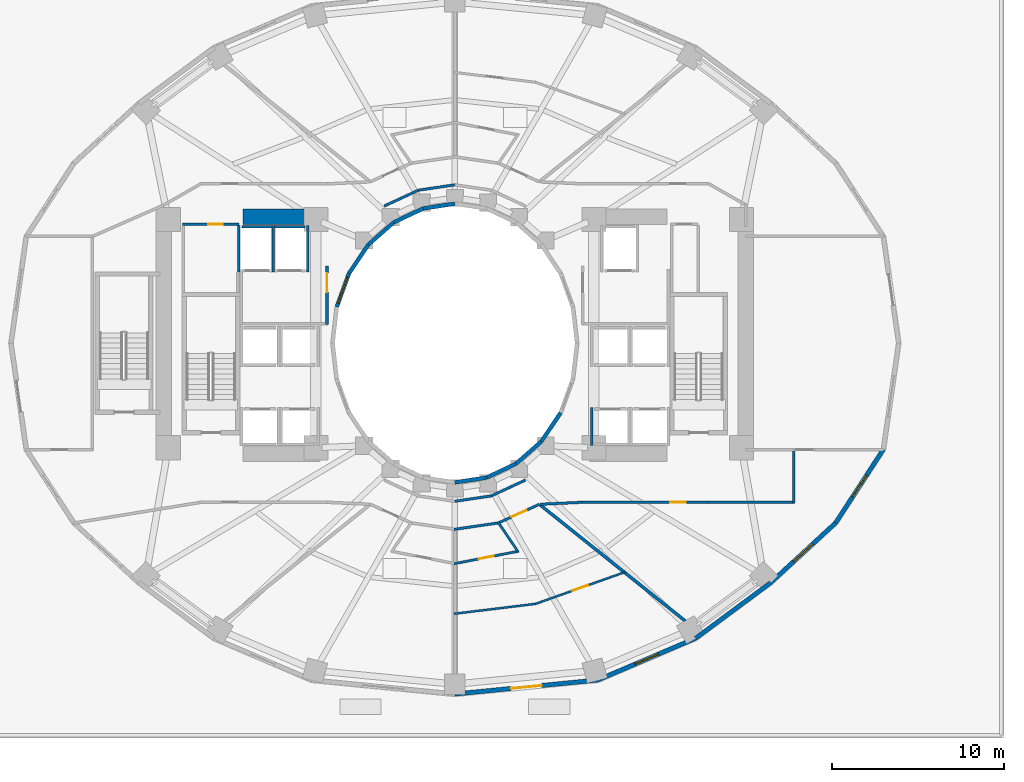
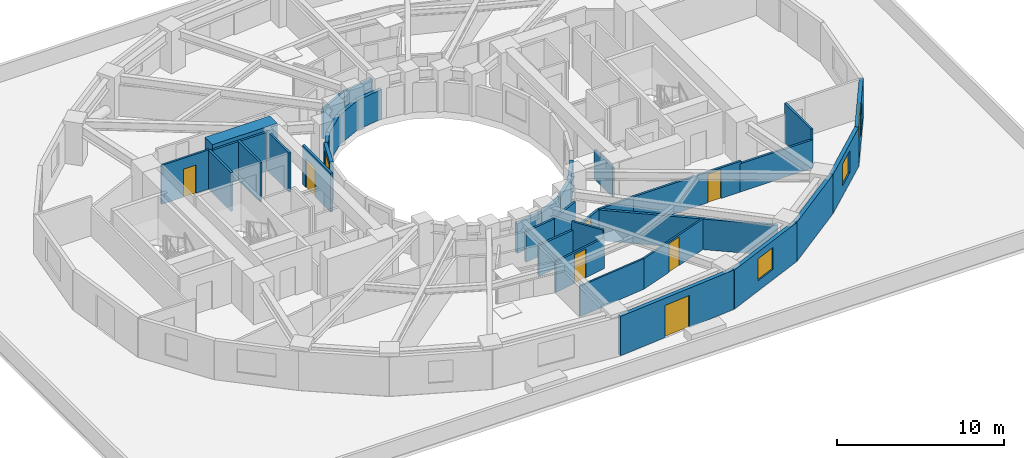
# One storey, part 5 of 10: 38 walls, 7 doors, 4 windows, 11 openings.
"""IFC4 building model written with IfcOpenShell, lengths in metres."""

from ifc_helpers import new_model, si_unit, direction, frame, frame_2d, origin, place, context, subcontext, project, spatial, rectangle, extrude, material, layer, layer_set, type_object, element, fill, save


model = new_model("IFC4")

# Units and contexts
model_context = context("Model", 3, precision=1e-05, world=origin(), true_north=direction((0.0, 1.0)))
body_context = subcontext(model_context, "Body", "Model", "MODEL_VIEW")
ifc_project = project(units=[si_unit("LENGTHUNIT", "METRE"), si_unit("AREAUNIT", "SQUARE_METRE"), si_unit("VOLUMEUNIT", "CUBIC_METRE"), si_unit("PLANEANGLEUNIT", "RADIAN"), si_unit("MASSUNIT", "GRAM", prefix="KILO")], contexts=[model_context])

# Site, building, storey
site_placement = place(None, origin())
site = spatial("IfcSite", under=ifc_project, at=site_placement, CompositionType="ELEMENT")
building_placement = place(site_placement, origin())
building = spatial("IfcBuilding", under=site, at=building_placement, Name="Solvane Sanctuary Tower", CompositionType="ELEMENT")
storey_placement = place(building_placement, frame((0.0, 0.0, 27.60009765625)))
storey = spatial("IfcBuildingStorey", under=building, at=storey_placement, Name="L07", CompositionType="ELEMENT", Elevation=27.60009765625)

# Wall
ifc_material_1 = material(Name="Concrete C70/85", Category="concrete")
ifc_layer_1 = layer(ifc_material_1, 0.89990234375, Name="Concrete C70/85")
ifc_layer_set_1 = layer_set([ifc_layer_1], Name="Concrete C70/85")
wall_type_1 = type_object("IfcWallType", Name="Wall W-CORE-900", PredefinedType="SHEAR", material=ifc_layer_set_1)
wall_1_placement = place(storey_placement, frame((19.64990234375, 30.35009765625, 0.0), z_axis=(0.0, 0.0, 1.0), x_axis=(1.0, 0.0, 0.0)))
element("IfcWall", 1, at=wall_1_placement, inside=storey, type_object=wall_type_1, Name="L07 Core Shear Wall WC-N", PredefinedType="SHEAR", context=body_context, shape_type="SweptSolid", body=[
    extrude(rectangle(XDim=4.5, YDim=0.89990234375, at=frame_2d((2.25, 0.0))), origin(), (0.0, 0.0, 1.0), 3.099853515625),
])

# Wall, opening, door
ifc_material_2 = material(Name="Acoustic Gypsum Partition Board")
ifc_layer_2 = layer(ifc_material_2, 0.14990234375, Name="Acoustic Gypsum Partition Board")
ifc_layer_set_2 = layer_set([ifc_layer_2], Name="Acoustic Gypsum Partition Board")
wall_type_2 = type_object("IfcWallType", Name="Wall W-CORR-150", PredefinedType="PARTITIONING", material=ifc_layer_set_2)
wall_2_placement = place(storey_placement, frame((24.550048828125, 24.080078125, 0.0), z_axis=(0.0, 0.0, 1.0), x_axis=(0.0, 1.0, 0.0)))
wall_2 = element("IfcWall", 2, at=wall_2_placement, inside=storey, type_object=wall_type_2, Name="L07 West Firefighting Lobby East Wall", PredefinedType="PARTITIONING", context=body_context, shape_type="SweptSolid", body=[
    extrude(rectangle(XDim=3.39990234375, YDim=0.14990234375, at=frame_2d((1.699951171875, 0.0))), origin(), (0.0, 0.0, 1.0), 2.85498046875),
])
opening_1_placement = place(wall_2_placement, frame((1.893798828125, 0.0, 0.0)))
opening_1 = element("IfcOpeningElement", 3, at=opening_1_placement, cuts=wall_2, Name="Opening D-L07-08", PredefinedType="OPENING", context=body_context, shape_type="SweptSolid", body=[
    extrude(rectangle(XDim=1.10009765625, YDim=2.10009765625, at=frame_2d((0.550048828125, 1.050048828125))), frame((0.0, 0.0849609375, 0.0), z_axis=(0.0, -1.0, 0.0), x_axis=(1.0, 0.0, 0.0)), (0.0, 0.0, 1.0), 0.169921875),
])
ifc_material_3 = material(Name="Architectural Stainless Steel 316", Category="steel")
door_type_1 = type_object("IfcDoorType", Name="Door D-FFL", OperationType="NOTDEFINED", PredefinedType="DOOR", material=ifc_material_3)
door_1_placement = place(opening_1_placement, origin())
door_1 = element("IfcDoor", 4, at=door_1_placement, inside=storey, type_object=door_type_1, Name="L07 West Firefighting Lobby Fire Door", OperationType="SINGLE_SWING_RIGHT", OverallHeight=2.10009765625, OverallWidth=1.10009765625, PredefinedType="DOOR", context=body_context, shape_type="SweptSolid", body=[
    extrude(rectangle(XDim=1.10009765625, YDim=2.10009765625, at=frame_2d((0.550048828125, 1.050048828125))), frame((0.0, 0.02490234375, 0.0), z_axis=(0.0, -1.0, 0.0), x_axis=(1.0, 0.0, 0.0)), (0.0, 0.0, 1.0), 0.050048828125),
])
fill(opening_1, door_1)

# Walls
wall_3_placement = place(storey_placement, frame((32.0, 32.219970703125, 0.0), z_axis=(0.0, 0.0, 1.0), x_axis=(-0.989268584896, -0.146108408166, 0.0)))
element("IfcWall", 5, at=wall_3_placement, inside=storey, type_object=wall_type_2, Name="L07 Light-Well Corridor Rim Wall N3", PredefinedType="PARTITIONING", context=body_context, shape_type="SweptSolid", body=[
    extrude(rectangle(XDim=2.150634765625, YDim=0.14990234375, at=frame_2d((1.0751953125, 0.0))), origin(), (0.0, 0.0, 1.0), 2.23681640625),
])
wall_4_placement = place(storey_placement, frame((29.87255859375, 31.90576171875, 0.0), z_axis=(0.0, 0.0, 1.0), x_axis=(-0.906943449489, -0.421252393975, 0.0)))
element("IfcWall", 6, at=wall_4_placement, inside=storey, type_object=wall_type_2, Name="L07 Light-Well Corridor Rim Wall N4", PredefinedType="PARTITIONING", context=body_context, shape_type="SweptSolid", body=[
    extrude(rectangle(XDim=2.18603515625, YDim=0.14990234375, at=frame_2d((1.093017578125, 0.0))), origin(), (0.0, 0.0, 1.0), 2.23681640625),
])
wall_5_placement = place(storey_placement, frame((32.0, 13.780029296875, 0.0), z_axis=(0.0, 0.0, 1.0), x_axis=(0.989268584896, 0.146108408166, 0.0)))
element("IfcWall", 7, at=wall_5_placement, inside=storey, type_object=wall_type_2, Name="L07 Light-Well Corridor Rim Wall S3", PredefinedType="PARTITIONING", context=body_context, shape_type="SweptSolid", body=[
    extrude(rectangle(XDim=2.150634765625, YDim=0.14990234375, at=frame_2d((1.0751953125, 0.0))), origin(), (0.0, 0.0, 1.0), 2.23681640625),
])
wall_6_placement = place(storey_placement, frame((34.12744140625, 14.09423828125, 0.0), z_axis=(0.0, 0.0, 1.0), x_axis=(0.906943449489, 0.421252393975, 0.0)))
element("IfcWall", 8, at=wall_6_placement, inside=storey, type_object=wall_type_2, Name="L07 Light-Well Corridor Rim Wall S4", PredefinedType="PARTITIONING", context=body_context, shape_type="SweptSolid", body=[
    extrude(rectangle(XDim=2.18603515625, YDim=0.14990234375, at=frame_2d((1.093017578125, 0.0))), origin(), (0.0, 0.0, 1.0), 2.23681640625),
])
wall_7_placement = place(storey_placement, frame((51.760009765625, 13.679931640625, 0.0), z_axis=(0.0, 0.0, 1.0), x_axis=(0.0, 1.0, 0.0)))
element("IfcWall", 9, at=wall_7_placement, inside=storey, type_object=wall_type_2, Name="L07 SE Corner Closer 1", PredefinedType="PARTITIONING", context=body_context, shape_type="SweptSolid", body=[
    extrude(rectangle(XDim=3.1484375, YDim=0.14990234375, at=frame_2d((1.57421875, 0.0))), origin(), (0.0, 0.0, 1.0), 2.85498046875),
])
wall_8_placement = place(storey_placement, frame((36.97998046875, 13.606201171875, 0.0), z_axis=(0.0, 0.0, 1.0), x_axis=(0.998877427952, 0.047369651964, 0.0)))
element("IfcWall", 10, at=wall_8_placement, inside=storey, type_object=wall_type_2, Name="L07 SE Corner Throat Wall", PredefinedType="PARTITIONING", context=body_context, shape_type="SweptSolid", body=[
    extrude(rectangle(XDim=2.4326171875, YDim=0.14990234375, at=frame_2d((1.21630859375, 0.0))), origin(), (0.0, 0.0, 1.0), 2.23681640625),
])

# Wall, opening, door
wall_9_placement = place(storey_placement, frame((39.330078125, 13.719970703125, 0.0), z_axis=(0.0, 0.0, 1.0), x_axis=(1.0, 0.0, 0.0)))
wall_9 = element("IfcWall", 11, at=wall_9_placement, inside=storey, type_object=wall_type_2, Name="L07 SE Corner Corridor Wall", PredefinedType="PARTITIONING", context=body_context, shape_type="SweptSolid", body=[
    extrude(rectangle(XDim=7.52001953125, YDim=0.14990234375, at=frame_2d((3.760009765625, 0.0))), origin(), (0.0, 0.0, 1.0), 2.23681640625),
])
opening_2_placement = place(wall_9_placement, frame((5.219970703125, 0.0, 0.0)))
opening_2 = element("IfcOpeningElement", 12, at=opening_2_placement, cuts=wall_9, Name="Opening D-L07-17", PredefinedType="OPENING", context=body_context, shape_type="SweptSolid", body=[
    extrude(rectangle(XDim=0.89990234375, YDim=2.10009765625, at=frame_2d((0.449951171875, 1.050048828125))), frame((0.0, 0.0849609375, 0.0), z_axis=(0.0, -1.0, 0.0), x_axis=(1.0, 0.0, 0.0)), (0.0, 0.0, 1.0), 0.169921875),
])
ifc_material_4 = material(Name="Engineered Tropical Hardwood", Category="wood")
door_type_2 = type_object("IfcDoorType", Name="Door D-WET-900", OperationType="NOTDEFINED", PredefinedType="DOOR", material=ifc_material_4)
door_2_placement = place(opening_2_placement, origin())
door_2 = element("IfcDoor", 13, at=door_2_placement, inside=storey, type_object=door_type_2, Name="L07 SE Corner Salon Door", OperationType="SINGLE_SWING_LEFT", OverallHeight=2.10009765625, OverallWidth=0.89990234375, PredefinedType="DOOR", context=body_context, shape_type="SweptSolid", body=[
    extrude(rectangle(XDim=0.89990234375, YDim=2.10009765625, at=frame_2d((0.449951171875, 1.050048828125))), frame((0.0, 0.02490234375, 0.0), z_axis=(0.0, -1.0, 0.0), x_axis=(1.0, 0.0, 0.0)), (0.0, 0.0, 1.0), 0.050048828125),
])
fill(opening_2, door_2)

# Walls
wall_10_placement = place(storey_placement, frame((46.75, 13.719970703125, 0.0), z_axis=(0.0, 0.0, 1.0), x_axis=(1.0, 0.0, 0.0)))
element("IfcWall", 14, at=wall_10_placement, inside=storey, type_object=wall_type_2, Name="L07 SE Corner Wing Wall", PredefinedType="PARTITIONING", context=body_context, shape_type="SweptSolid", body=[
    extrude(rectangle(XDim=5.050048828125, YDim=0.14990234375, at=frame_2d((2.52490234375, 0.0))), origin(), (0.0, 0.0, 1.0), 2.06884765625),
])
wall_11_placement = place(storey_placement, frame((31.950439453125, 12.142822265625, 0.0), z_axis=(0.0, 0.0, 1.0), x_axis=(0.989649898776, 0.143502884474, 0.0)))
element("IfcWall", 15, at=wall_11_placement, inside=storey, type_object=wall_type_2, Name="L07 En-suite Inner Wall S2", PredefinedType="PARTITIONING", context=body_context, shape_type="SweptSolid", body=[
    extrude(rectangle(XDim=2.676025390625, YDim=0.14990234375, at=frame_2d((1.337890625, 0.0))), origin(), (0.0, 0.0, 1.0), 2.23681640625),
])

# Wall, opening, door
wall_12_placement = place(storey_placement, frame((34.542724609375, 12.517578125, 0.0), z_axis=(0.0, 0.0, 1.0), x_axis=(0.909747571199, 0.415161843982, 0.0)))
wall_12 = element("IfcWall", 16, at=wall_12_placement, inside=storey, type_object=wall_type_2, Name="L07 Unit Corridor Wall S2", PredefinedType="PARTITIONING", context=body_context, shape_type="SweptSolid", body=[
    extrude(rectangle(XDim=2.625, YDim=0.14990234375, at=frame_2d((1.3125, 0.0))), origin(), (0.0, 0.0, 1.0), 2.23681640625),
])
opening_3_placement = place(wall_12_placement, frame((0.837646484375, 0.0, 0.0)))
opening_3 = element("IfcOpeningElement", 17, at=opening_3_placement, cuts=wall_12, Name="Opening D-L07-27", PredefinedType="OPENING", context=body_context, shape_type="SweptSolid", body=[
    extrude(rectangle(XDim=0.949951171875, YDim=2.10009765625, at=frame_2d((0.47509765625, 1.050048828125))), frame((0.0, 0.0849609375, 0.0), z_axis=(0.0, -1.0, 0.0), x_axis=(1.0, 0.0, 0.0)), (0.0, 0.0, 1.0), 0.169921875),
])
door_type_3 = type_object("IfcDoorType", Name="Door D-ROOM-950", OperationType="NOTDEFINED", PredefinedType="DOOR", material=ifc_material_4)
door_3_placement = place(opening_3_placement, origin())
door_3 = element("IfcDoor", 18, at=door_3_placement, inside=storey, type_object=door_type_3, Name="L07 Unit Entrance Door S2", OperationType="SINGLE_SWING_LEFT", OverallHeight=2.10009765625, OverallWidth=0.949951171875, PredefinedType="DOOR", context=body_context, shape_type="SweptSolid", body=[
    extrude(rectangle(XDim=0.949951171875, YDim=2.10009765625, at=frame_2d((0.47509765625, 1.050048828125))), frame((0.0, 0.02490234375, 0.0), z_axis=(0.0, -1.0, 0.0), x_axis=(1.0, 0.0, 0.0)), (0.0, 0.0, 1.0), 0.050048828125),
])
fill(opening_3, door_3)

ifc_material_5 = material(Name="Precast concrete C40/50", Category="concrete")
ifc_layer_3 = layer(ifc_material_5, 0.260009765625, Name="Precast concrete C40/50")
ifc_layer_set_3 = layer_set([ifc_layer_3], Name="Precast concrete C40/50")
wall_type_3 = type_object("IfcWallType", Name="Wall W-EXT-250", PredefinedType="STANDARD", material=ifc_layer_set_3)
wall_13_placement = place(storey_placement, frame((32.0, 2.548583984375, 0.0), z_axis=(0.0, 0.0, 1.0), x_axis=(0.995247718352, 0.097375454379, 0.0)))
wall_13 = element("IfcWall", 19, at=wall_13_placement, inside=storey, type_object=wall_type_3, Name="L07 Terrace Access Facade Wall 18", PredefinedType="STANDARD", context=body_context, shape_type="SweptSolid", body=[
    extrude(rectangle(XDim=8.37158203125, YDim=0.260009765625, at=frame_2d((4.185791015625, 0.0))), origin(), (0.0, 0.0, 1.0), 2.8798828125),
])
opening_4_placement = place(wall_13_placement, frame((3.28564453125, 0.0, 0.0)))
opening_4 = element("IfcOpeningElement", 20, at=opening_4_placement, cuts=wall_13, Name="Opening D-L07-04", PredefinedType="OPENING", context=body_context, shape_type="SweptSolid", body=[
    extrude(rectangle(XDim=1.800048828125, YDim=2.35009765625, at=frame_2d((0.89990234375, 1.175048828125))), frame((0.0, 0.139892578125, 0.0), z_axis=(0.0, -1.0, 0.0), x_axis=(1.0, 0.0, 0.0)), (0.0, 0.0, 1.0), 0.280029296875),
])
ifc_material_6 = material(Name="Anodised Aluminium 6063-T6", Category="aluminium")
door_type_4 = type_object("IfcDoorType", Name="Door D-TERR-1800", OperationType="NOTDEFINED", PredefinedType="DOOR", material=ifc_material_6)
door_4_placement = place(opening_4_placement, origin())
door_4 = element("IfcDoor", 21, at=door_4_placement, inside=storey, type_object=door_type_4, Name="L07 Podium Sky Terrace Door 18", OperationType="SINGLE_SWING_LEFT", OverallHeight=2.35009765625, OverallWidth=1.800048828125, PredefinedType="DOOR", context=body_context, shape_type="SweptSolid", body=[
    extrude(rectangle(XDim=1.800048828125, YDim=2.35009765625, at=frame_2d((0.89990234375, 1.175048828125))), frame((0.0, 0.02490234375, 0.0), z_axis=(0.0, -1.0, 0.0), x_axis=(1.0, 0.0, 0.0)), (0.0, 0.0, 1.0), 0.050048828125),
])
fill(opening_4, door_4)

# Wall, opening, window
wall_14_placement = place(storey_placement, frame((40.331787109375, 3.36376953125, 0.0), z_axis=(0.0, 0.0, 1.0), x_axis=(0.919612132394, 0.39282760335, 0.0)))
wall_14 = element("IfcWall", 22, at=wall_14_placement, inside=storey, type_object=wall_type_3, Name="L07 Ceramic-Printed Facade Wall 19", PredefinedType="STANDARD", context=body_context, shape_type="SweptSolid", body=[
    extrude(rectangle(XDim=6.20947265625, YDim=0.260009765625, at=frame_2d((3.104736328125, 0.0))), origin(), (0.0, 0.0, 1.0), 2.849853515625),
])
opening_5_placement = place(wall_14_placement, frame((2.354736328125, 0.0, 0.75)))
opening_5 = element("IfcOpeningElement", 23, at=opening_5_placement, cuts=wall_14, Name="Opening WN-OPER-1500", PredefinedType="OPENING", context=body_context, shape_type="SweptSolid", body=[
    extrude(rectangle(XDim=1.5, YDim=1.60009765625, at=frame_2d((0.75, 0.800048828125))), frame((0.0, 0.139892578125, 0.0), z_axis=(0.0, -1.0, 0.0), x_axis=(1.0, 0.0, 0.0)), (0.0, 0.0, 1.0), 0.280029296875),
])
ifc_material_7 = material(Name="Dark Ceramic-Fritted Low-E Glass", Category="glass")
window_type_1 = type_object("IfcWindowType", Name="Window WN-OPER-1500", PartitioningType="SINGLE_PANEL", PredefinedType="WINDOW", material=ifc_material_7)
window_1_placement = place(opening_5_placement, origin())
window_1 = element("IfcWindow", 24, at=window_1_placement, inside=storey, type_object=window_type_1, Name="L07 Operable Facade Window 19", OverallHeight=1.60009765625, OverallWidth=1.5, PartitioningType="SINGLE_PANEL", PredefinedType="WINDOW", context=body_context, shape_type="SweptSolid", body=[
    extrude(rectangle(XDim=1.5, YDim=1.60009765625, at=frame_2d((0.75, 0.800048828125))), frame((0.0, 0.030029296875, 0.0), z_axis=(0.0, -1.0, 0.0), x_axis=(1.0, 0.0, 0.0)), (0.0, 0.0, 1.0), 0.06005859375),
])
fill(opening_5, window_1)

# Wall
wall_15_placement = place(storey_placement, frame((46.0419921875, 5.802978515625, 0.0), z_axis=(0.0, 0.0, 1.0), x_axis=(0.803477531792, 0.595335078679, 0.0)))
element("IfcWall", 25, at=wall_15_placement, inside=storey, type_object=wall_type_3, Name="L07 Ceramic-Printed Facade Wall 20", PredefinedType="STANDARD", context=body_context, shape_type="SweptSolid", body=[
    extrude(rectangle(XDim=5.4296875, YDim=0.260009765625, at=frame_2d((2.71484375, 0.0))), origin(), (0.0, 0.0, 1.0), 2.849853515625),
])

# Wall, opening, window
wall_16_placement = place(storey_placement, frame((50.404541015625, 9.035400390625, 0.0), z_axis=(0.0, 0.0, 1.0), x_axis=(0.735655109293, 0.67735630223, 0.0)))
wall_16 = element("IfcWall", 26, at=wall_16_placement, inside=storey, type_object=wall_type_3, Name="L07 Ceramic-Printed Facade Wall 21", PredefinedType="STANDARD", context=body_context, shape_type="SweptSolid", body=[
    extrude(rectangle(XDim=5.15087890625, YDim=0.260009765625, at=frame_2d((2.575439453125, 0.0))), origin(), (0.0, 0.0, 1.0), 2.849853515625),
])
opening_6_placement = place(wall_16_placement, frame((1.825439453125, 0.0, 0.75)))
opening_6 = element("IfcOpeningElement", 27, at=opening_6_placement, cuts=wall_16, Name="Opening WN-OPER-1500", PredefinedType="OPENING", context=body_context, shape_type="SweptSolid", body=[
    extrude(rectangle(XDim=1.5, YDim=1.60009765625, at=frame_2d((0.75, 0.800048828125))), frame((0.0, 0.139892578125, 0.0), z_axis=(0.0, -1.0, 0.0), x_axis=(1.0, 0.0, 0.0)), (0.0, 0.0, 1.0), 0.280029296875),
])
window_2_placement = place(opening_6_placement, origin())
window_2 = element("IfcWindow", 28, at=window_2_placement, inside=storey, type_object=window_type_1, Name="L07 Operable Facade Window 21", OverallHeight=1.60009765625, OverallWidth=1.5, PartitioningType="SINGLE_PANEL", PredefinedType="WINDOW", context=body_context, shape_type="SweptSolid", body=[
    extrude(rectangle(XDim=1.5, YDim=1.60009765625, at=frame_2d((0.75, 0.800048828125))), frame((0.0, 0.030029296875, 0.0), z_axis=(0.0, -1.0, 0.0), x_axis=(1.0, 0.0, 0.0)), (0.0, 0.0, 1.0), 0.06005859375),
])
fill(opening_6, window_2)

wall_17_placement = place(storey_placement, frame((54.19384765625, 12.5244140625, 0.0), z_axis=(0.0, 0.0, 1.0), x_axis=(0.544578722263, 0.838709732421, 0.0)))
wall_17 = element("IfcWall", 29, at=wall_17_placement, inside=storey, type_object=wall_type_3, Name="L07 Ceramic-Printed Facade Wall 22", PredefinedType="STANDARD", context=body_context, shape_type="SweptSolid", body=[
    extrude(rectangle(XDim=5.091552734375, YDim=0.260009765625, at=frame_2d((2.5458984375, 0.0))), origin(), (0.0, 0.0, 1.0), 2.849853515625),
])
opening_7_placement = place(wall_17_placement, frame((1.795654296875, 0.0, 0.75)))
opening_7 = element("IfcOpeningElement", 30, at=opening_7_placement, cuts=wall_17, Name="Opening WN-OPER-1500", PredefinedType="OPENING", context=body_context, shape_type="SweptSolid", body=[
    extrude(rectangle(XDim=1.5, YDim=1.60009765625, at=frame_2d((0.75, 0.800048828125))), frame((0.0, 0.139892578125, 0.0), z_axis=(0.0, -1.0, 0.0), x_axis=(1.0, 0.0, 0.0)), (0.0, 0.0, 1.0), 0.280029296875),
])
window_3_placement = place(opening_7_placement, origin())
window_3 = element("IfcWindow", 31, at=window_3_placement, inside=storey, type_object=window_type_1, Name="L07 Operable Facade Window 22", OverallHeight=1.60009765625, OverallWidth=1.5, PartitioningType="SINGLE_PANEL", PredefinedType="WINDOW", context=body_context, shape_type="SweptSolid", body=[
    extrude(rectangle(XDim=1.5, YDim=1.60009765625, at=frame_2d((0.75, 0.800048828125))), frame((0.0, 0.030029296875, 0.0), z_axis=(0.0, -1.0, 0.0), x_axis=(1.0, 0.0, 0.0)), (0.0, 0.0, 1.0), 0.06005859375),
])
fill(opening_7, window_3)

# Walls
ifc_layer_4 = layer(ifc_material_5, 0.22998046875, Name="Precast concrete C40/50")
ifc_layer_set_4 = layer_set([ifc_layer_4], Name="Precast concrete C40/50")
wall_type_4 = type_object("IfcWallType", Name="Wall W-EXT-SP220", PredefinedType="STANDARD", material=ifc_layer_set_4)
wall_18_placement = place(storey_placement, frame((32.0, 31.1201171875, 0.0), z_axis=(0.0, 0.0, 1.0), x_axis=(-0.988901730308, -0.148571086668, 0.0)))
element("IfcWall", 32, at=wall_18_placement, inside=storey, type_object=wall_type_4, Name="L07 Central Light-Well Wall 06", PredefinedType="STANDARD", context=body_context, shape_type="SweptSolid", body=[
    extrude(rectangle(XDim=1.863525390625, YDim=0.22998046875, at=frame_2d((0.931640625, 0.0))), origin(), (0.0, 0.0, 1.0), 2.159912109375),
])
wall_19_placement = place(storey_placement, frame((30.1572265625, 30.84326171875, 0.0), z_axis=(0.0, 0.0, 1.0), x_axis=(-0.904179699603, -0.427152280606, 0.0)))
element("IfcWall", 33, at=wall_19_placement, inside=storey, type_object=wall_type_4, Name="L07 Central Light-Well Wall 07", PredefinedType="STANDARD", context=body_context, shape_type="SweptSolid", body=[
    extrude(rectangle(XDim=1.899169921875, YDim=0.22998046875, at=frame_2d((0.94970703125, 0.0))), origin(), (0.0, 0.0, 1.0), 2.159912109375),
])
wall_20_placement = place(storey_placement, frame((28.43994140625, 30.031982421875, 0.0), z_axis=(0.0, 0.0, 1.0), x_axis=(-0.752576694707, -0.658504607869, 0.0)))
element("IfcWall", 34, at=wall_20_placement, inside=storey, type_object=wall_type_4, Name="L07 Central Light-Well Wall 08", PredefinedType="STANDARD", context=body_context, shape_type="SweptSolid", body=[
    extrude(rectangle(XDim=1.95947265625, YDim=0.22998046875, at=frame_2d((0.979736328125, 0.0))), origin(), (0.0, 0.0, 1.0), 2.159912109375),
])
wall_21_placement = place(storey_placement, frame((26.96533203125, 28.74169921875, 0.0), z_axis=(0.0, 0.0, 1.0), x_axis=(-0.558197800898, -0.829707909492, 0.0)))
element("IfcWall", 35, at=wall_21_placement, inside=storey, type_object=wall_type_4, Name="L07 Central Light-Well Wall 09", PredefinedType="STANDARD", context=body_context, shape_type="SweptSolid", body=[
    extrude(rectangle(XDim=2.02685546875, YDim=0.22998046875, at=frame_2d((1.013427734375, 0.0))), origin(), (0.0, 0.0, 1.0), 2.159912109375),
])

# Wall, opening, window
wall_22_placement = place(storey_placement, frame((25.833984375, 27.06005859375, 0.0), z_axis=(0.0, 0.0, 1.0), x_axis=(-0.341423187295, -0.93990968033, 0.0)))
wall_22 = element("IfcWall", 36, at=wall_22_placement, inside=storey, type_object=wall_type_4, Name="L07 Central Light-Well Wall 10", PredefinedType="STANDARD", context=body_context, shape_type="SweptSolid", body=[
    extrude(rectangle(XDim=2.083740234375, YDim=0.22998046875, at=frame_2d((1.0419921875, 0.0))), origin(), (0.0, 0.0, 1.0), 2.83984375),
])
opening_8_placement = place(wall_22_placement, frame((0.24169921875, 0.0, 0.85009765625)))
opening_8 = element("IfcOpeningElement", 37, at=opening_8_placement, cuts=wall_22, Name="Opening WN-WELL-1600", PredefinedType="OPENING", context=body_context, shape_type="SweptSolid", body=[
    extrude(rectangle(XDim=1.60009765625, YDim=1.64990234375, at=frame_2d((0.800048828125, 0.824951171875))), frame((0.0, 0.125, 0.0), z_axis=(0.0, -1.0, 0.0), x_axis=(1.0, 0.0, 0.0)), (0.0, 0.0, 1.0), 0.25),
])
ifc_material_8 = material(Name="Clear Laminated Light-Well Glass", Category="glass")
window_type_2 = type_object("IfcWindowType", Name="Window WN-WELL-1600", PartitioningType="SINGLE_PANEL", PredefinedType="WINDOW", material=ifc_material_8)
window_4_placement = place(opening_8_placement, origin())
window_4 = element("IfcWindow", 38, at=window_4_placement, inside=storey, type_object=window_type_2, Name="L07 Light-Well Daylight Window 10", OverallHeight=1.64990234375, OverallWidth=1.60009765625, PartitioningType="SINGLE_PANEL", PredefinedType="WINDOW", context=body_context, shape_type="SweptSolid", body=[
    extrude(rectangle(XDim=1.60009765625, YDim=1.64990234375, at=frame_2d((0.800048828125, 0.824951171875))), frame((0.0, 0.030029296875, 0.0), z_axis=(0.0, -1.0, 0.0), x_axis=(1.0, 0.0, 0.0)), (0.0, 0.0, 1.0), 0.06005859375),
])
fill(opening_8, window_4)

# Walls
wall_23_placement = place(storey_placement, frame((32.0, 14.8798828125, 0.0), z_axis=(0.0, 0.0, 1.0), x_axis=(0.988901730308, 0.148571086668, 0.0)))
element("IfcWall", 39, at=wall_23_placement, inside=storey, type_object=wall_type_4, Name="L07 Central Light-Well Wall 18", PredefinedType="STANDARD", context=body_context, shape_type="SweptSolid", body=[
    extrude(rectangle(XDim=1.863525390625, YDim=0.22998046875, at=frame_2d((0.931640625, 0.0))), origin(), (0.0, 0.0, 1.0), 2.159912109375),
])
wall_24_placement = place(storey_placement, frame((33.8427734375, 15.15673828125, 0.0), z_axis=(0.0, 0.0, 1.0), x_axis=(0.904179699603, 0.427152280606, 0.0)))
element("IfcWall", 40, at=wall_24_placement, inside=storey, type_object=wall_type_4, Name="L07 Central Light-Well Wall 19", PredefinedType="STANDARD", context=body_context, shape_type="SweptSolid", body=[
    extrude(rectangle(XDim=1.899169921875, YDim=0.22998046875, at=frame_2d((0.94970703125, 0.0))), origin(), (0.0, 0.0, 1.0), 2.159912109375),
])
wall_25_placement = place(storey_placement, frame((35.56005859375, 15.968017578125, 0.0), z_axis=(0.0, 0.0, 1.0), x_axis=(0.752576694707, 0.658504607869, 0.0)))
element("IfcWall", 41, at=wall_25_placement, inside=storey, type_object=wall_type_4, Name="L07 Central Light-Well Wall 20", PredefinedType="STANDARD", context=body_context, shape_type="SweptSolid", body=[
    extrude(rectangle(XDim=1.95947265625, YDim=0.22998046875, at=frame_2d((0.979736328125, 0.0))), origin(), (0.0, 0.0, 1.0), 2.159912109375),
])
wall_26_placement = place(storey_placement, frame((37.03466796875, 17.25830078125, 0.0), z_axis=(0.0, 0.0, 1.0), x_axis=(0.558197800898, 0.829707909492, 0.0)))
element("IfcWall", 42, at=wall_26_placement, inside=storey, type_object=wall_type_4, Name="L07 Central Light-Well Wall 21", PredefinedType="STANDARD", context=body_context, shape_type="SweptSolid", body=[
    extrude(rectangle(XDim=2.02685546875, YDim=0.22998046875, at=frame_2d((1.013427734375, 0.0))), origin(), (0.0, 0.0, 1.0), 2.159912109375),
])
ifc_layer_5 = layer(ifc_material_2, 0.1201171875, Name="Acoustic Gypsum Partition Board")
ifc_layer_set_5 = layer_set([ifc_layer_5], Name="Acoustic Gypsum Partition Board")
wall_type_5 = type_object("IfcWallType", Name="Wall W-MOV-100", PredefinedType="MOVABLE", material=ifc_layer_set_5)
wall_27_placement = place(storey_placement, frame((31.950439453125, 7.224609375, 0.0), z_axis=(0.0, 0.0, 1.0), x_axis=(0.992699076447, 0.120617343785, 0.0)))
element("IfcWall", 43, at=wall_27_placement, inside=storey, type_object=wall_type_5, Name="L07 Suite Sitting Lounge Partition S2", PredefinedType="MOVABLE", context=body_context, shape_type="SweptSolid", body=[
    extrude(rectangle(XDim=4.79296875, YDim=0.1201171875, at=frame_2d((2.396484375, 0.0))), origin(), (0.0, 0.0, 1.0), 2.23681640625),
])

# Wall, opening, door
wall_28_placement = place(storey_placement, frame((36.689208984375, 7.79833984375, 0.0), z_axis=(0.0, 0.0, 1.0), x_axis=(0.942369240096, 0.334574678243, 0.0)))
wall_28 = element("IfcWall", 44, at=wall_28_placement, inside=storey, type_object=wall_type_5, Name="L07 Suite Sitting Lounge Partition S2", PredefinedType="MOVABLE", context=body_context, shape_type="SweptSolid", body=[
    extrude(rectangle(XDim=5.558837890625, YDim=0.1201171875, at=frame_2d((2.779296875, 0.0))), origin(), (0.0, 0.0, 1.0), 2.23681640625),
])
opening_9_placement = place(wall_28_placement, frame((2.304443359375, 0.0, 0.0)))
opening_9 = element("IfcOpeningElement", 45, at=opening_9_placement, cuts=wall_28, Name="Opening D-L07-25", PredefinedType="OPENING", context=body_context, shape_type="SweptSolid", body=[
    extrude(rectangle(XDim=0.949951171875, YDim=2.10009765625, at=frame_2d((0.47509765625, 1.050048828125))), frame((0.0, 0.070068359375, 0.0), z_axis=(0.0, -1.0, 0.0), x_axis=(1.0, 0.0, 0.0)), (0.0, 0.0, 1.0), 0.14013671875),
])
door_5_placement = place(opening_9_placement, origin())
door_5 = element("IfcDoor", 46, at=door_5_placement, inside=storey, type_object=door_type_3, Name="L07 Suite Sitting Lounge Door S2", OperationType="SINGLE_SWING_LEFT", OverallHeight=2.10009765625, OverallWidth=0.949951171875, PredefinedType="DOOR", context=body_context, shape_type="SweptSolid", body=[
    extrude(rectangle(XDim=0.949951171875, YDim=2.10009765625, at=frame_2d((0.47509765625, 1.050048828125))), frame((0.0, 0.02490234375, 0.0), z_axis=(0.0, -1.0, 0.0), x_axis=(1.0, 0.0, 0.0)), (0.0, 0.0, 1.0), 0.050048828125),
])
fill(opening_9, door_5)

# Walls
ifc_material_9 = material(Name="Concrete C50/60", Category="concrete")
ifc_layer_6 = layer(ifc_material_9, 0.14990234375, Name="Concrete C50/60")
ifc_layer_set_6 = layer_set([ifc_layer_6], Name="Concrete C50/60")
wall_type_6 = type_object("IfcWallType", Name="Wall W-SHAFT-150", PredefinedType="SOLIDWALL", material=ifc_layer_set_6)
wall_29_placement = place(storey_placement, frame((39.969970703125, 17.02001953125, 0.0), z_axis=(0.0, 0.0, 1.0), x_axis=(0.0, 1.0, 0.0)))
element("IfcWall", 47, at=wall_29_placement, inside=storey, type_object=wall_type_6, Name="L07 PL-3 Lift Shaft Wall S1", PredefinedType="SOLIDWALL", context=body_context, shape_type="SweptSolid", body=[
    extrude(rectangle(XDim=2.219970703125, YDim=0.14990234375, at=frame_2d((1.10986328125, 0.0))), origin(), (0.0, 0.0, 1.0), 2.119873046875),
])
wall_30_placement = place(storey_placement, frame((19.590087890625, 29.780029296875, 0.0), z_axis=(0.0, 0.0, 1.0), x_axis=(1.0, 0.0, 0.0)))
element("IfcWall", 48, at=wall_30_placement, inside=storey, type_object=wall_type_6, Name="L07 FFL-1 Lift Shaft Wall B", PredefinedType="SOLIDWALL", context=body_context, shape_type="SweptSolid", body=[
    extrude(rectangle(XDim=1.760009765625, YDim=0.14990234375, at=frame_2d((0.8798828125, 0.0))), origin(), (0.0, 0.0, 1.0), 2.85498046875),
])
for number, where, z_axis, x_axis, name in (
    (49, (19.419921875, 27.139892578125, 0.0), (0.0, 0.0, 1.0), (0.0, 1.0, 0.0), "L07 FFL-1 Lift Shaft Wall S1"),
    (50, (21.425048828125, 27.139892578125, 0.0), (0.0, 0.0, 1.0), (0.0, 1.0, 0.0), "L07 FFL-1 Lift Shaft Wall S2"),
):
    element("IfcWall", number, at=place(storey_placement, frame(where, z_axis=z_axis, x_axis=x_axis)), inside=storey, type_object=wall_type_6, Name=name, PredefinedType="SOLIDWALL", context=body_context, shape_type="SweptSolid", body=[
        extrude(rectangle(XDim=2.72021484375, YDim=0.14990234375, at=frame_2d((1.360107421875, 0.0))), origin(), (0.0, 0.0, 1.0), 2.85498046875),
    ])
wall_31_placement = place(storey_placement, frame((21.5, 29.780029296875, 0.0), z_axis=(0.0, 0.0, 1.0), x_axis=(1.0, 0.0, 0.0)))
element("IfcWall", 51, at=wall_31_placement, inside=storey, type_object=wall_type_6, Name="L07 SVL-1 Lift Shaft Wall B", PredefinedType="SOLIDWALL", context=body_context, shape_type="SweptSolid", body=[
    extrude(rectangle(XDim=1.760009765625, YDim=0.14990234375, at=frame_2d((0.8798828125, 0.0))), origin(), (0.0, 0.0, 1.0), 2.85498046875),
])
wall_32_placement = place(storey_placement, frame((23.429931640625, 27.139892578125, 0.0), z_axis=(0.0, 0.0, 1.0), x_axis=(0.0, 1.0, 0.0)))
element("IfcWall", 52, at=wall_32_placement, inside=storey, type_object=wall_type_6, Name="L07 SVL-1 Lift Shaft Wall S2", PredefinedType="SOLIDWALL", context=body_context, shape_type="SweptSolid", body=[
    extrude(rectangle(XDim=2.72021484375, YDim=0.14990234375, at=frame_2d((1.360107421875, 0.0))), origin(), (0.0, 0.0, 1.0), 2.85498046875),
])
ifc_layer_7 = layer(ifc_material_2, 0.179931640625, Name="Acoustic Gypsum Partition Board")
ifc_layer_set_7 = layer_set([ifc_layer_7], Name="Acoustic Gypsum Partition Board")
wall_type_7 = type_object("IfcWallType", Name="Wall W-UNIT-180", PredefinedType="PARTITIONING", material=ifc_layer_set_7)
wall_33_placement = place(storey_placement, frame((36.968017578125, 13.5693359375, 0.0), z_axis=(0.0, 0.0, 1.0), x_axis=(0.781055486744, -0.624461629428, 0.0)))
element("IfcWall", 53, at=wall_33_placement, inside=storey, type_object=wall_type_7, Name="L07 Radial Compartment Wall 300", PredefinedType="PARTITIONING", context=body_context, shape_type="SweptSolid", body=[
    extrude(rectangle(XDim=10.84326171875, YDim=0.179931640625, at=frame_2d((5.421630859375, 0.0))), origin(), (0.0, 0.0, 1.0), 2.23681640625),
])

# Wall, opening, door
ifc_layer_8 = layer(ifc_material_2, 0.139892578125, Name="Acoustic Gypsum Partition Board")
ifc_layer_set_8 = layer_set([ifc_layer_8], Name="Acoustic Gypsum Partition Board")
wall_type_8 = type_object("IfcWallType", Name="Wall W-WET-140", PredefinedType="PLUMBINGWALL", material=ifc_layer_set_8)
wall_34_placement = place(storey_placement, frame((16.1201171875, 29.919921875, 0.0), z_axis=(0.0, 0.0, 1.0), x_axis=(1.0, 0.0, 0.0)))
wall_34 = element("IfcWall", 54, at=wall_34_placement, inside=storey, type_object=wall_type_8, Name="L07 Core Service Front Wall KW0", PredefinedType="PLUMBINGWALL", context=body_context, shape_type="SweptSolid", body=[
    extrude(rectangle(XDim=3.2998046875, YDim=0.139892578125, at=frame_2d((1.64990234375, 0.0))), origin(), (0.0, 0.0, 1.0), 2.85498046875),
])
opening_10_placement = place(wall_34_placement, frame((1.515869140625, 0.0, 0.0)))
opening_10 = element("IfcOpeningElement", 55, at=opening_10_placement, cuts=wall_34, Name="Opening D-L07-10", PredefinedType="OPENING", context=body_context, shape_type="SweptSolid", body=[
    extrude(rectangle(XDim=0.85009765625, YDim=2.050048828125, at=frame_2d((0.425048828125, 1.02490234375))), frame((0.0, 0.079833984375, 0.0), z_axis=(0.0, -1.0, 0.0), x_axis=(1.0, 0.0, 0.0)), (0.0, 0.0, 1.0), 0.159912109375),
])
door_type_5 = type_object("IfcDoorType", Name="Door D-RISER", OperationType="NOTDEFINED", PredefinedType="DOOR", material=ifc_material_3)
door_6_placement = place(opening_10_placement, origin())
door_6 = element("IfcDoor", 56, at=door_6_placement, inside=storey, type_object=door_type_5, Name="L07 Core Service Room Door KW0-1", OperationType="SINGLE_SWING_RIGHT", OverallHeight=2.050048828125, OverallWidth=0.85009765625, PredefinedType="DOOR", context=body_context, shape_type="SweptSolid", body=[
    extrude(rectangle(XDim=0.85009765625, YDim=2.050048828125, at=frame_2d((0.425048828125, 1.02490234375))), frame((0.0, 0.02490234375, 0.0), z_axis=(0.0, -1.0, 0.0), x_axis=(1.0, 0.0, 0.0)), (0.0, 0.0, 1.0), 0.050048828125),
])
fill(opening_10, door_6)

# Wall
wall_35_placement = place(storey_placement, frame((34.521484375, 12.56103515625, 0.0), z_axis=(0.0, 0.0, 1.0), x_axis=(0.56056273171, -0.828111963335, 0.0)))
element("IfcWall", 57, at=wall_35_placement, inside=storey, type_object=wall_type_8, Name="L07 En-suite Side Partition S2", PredefinedType="PLUMBINGWALL", context=body_context, shape_type="SweptSolid", body=[
    extrude(rectangle(XDim=2.099609375, YDim=0.139892578125, at=frame_2d((1.0498046875, 0.0))), origin(), (0.0, 0.0, 1.0), 2.85498046875),
])

# Wall, opening, door
wall_36_placement = place(storey_placement, frame((31.950927734375, 10.140380859375, 0.0), z_axis=(0.0, 0.0, 1.0), x_axis=(0.981623000654, 0.190830512727, 0.0)))
wall_36 = element("IfcWall", 58, at=wall_36_placement, inside=storey, type_object=wall_type_8, Name="L07 En-suite Bedroom Wall S2", PredefinedType="PLUMBINGWALL", context=body_context, shape_type="SweptSolid", body=[
    extrude(rectangle(XDim=3.83935546875, YDim=0.139892578125, at=frame_2d((1.919677734375, 0.0))), origin(), (0.0, 0.0, 1.0), 2.23681640625),
])
opening_11_placement = place(wall_36_placement, frame((1.4697265625, 0.0, 0.0)))
opening_11 = element("IfcOpeningElement", 59, at=opening_11_placement, cuts=wall_36, Name="Opening D-L07-26", PredefinedType="OPENING", context=body_context, shape_type="SweptSolid", body=[
    extrude(rectangle(XDim=0.89990234375, YDim=2.10009765625, at=frame_2d((0.449951171875, 1.050048828125))), frame((0.0, 0.079833984375, 0.0), z_axis=(0.0, -1.0, 0.0), x_axis=(1.0, 0.0, 0.0)), (0.0, 0.0, 1.0), 0.159912109375),
])
door_7_placement = place(opening_11_placement, origin())
door_7 = element("IfcDoor", 60, at=door_7_placement, inside=storey, type_object=door_type_2, Name="L07 En-suite Bathroom Door S2", OperationType="SINGLE_SWING_RIGHT", OverallHeight=2.10009765625, OverallWidth=0.89990234375, PredefinedType="DOOR", context=body_context, shape_type="SweptSolid", body=[
    extrude(rectangle(XDim=0.89990234375, YDim=2.10009765625, at=frame_2d((0.449951171875, 1.050048828125))), frame((0.0, 0.02490234375, 0.0), z_axis=(0.0, -1.0, 0.0), x_axis=(1.0, 0.0, 0.0)), (0.0, 0.0, 1.0), 0.050048828125),
])
fill(opening_11, door_7)

save(model, "model.ifc")
